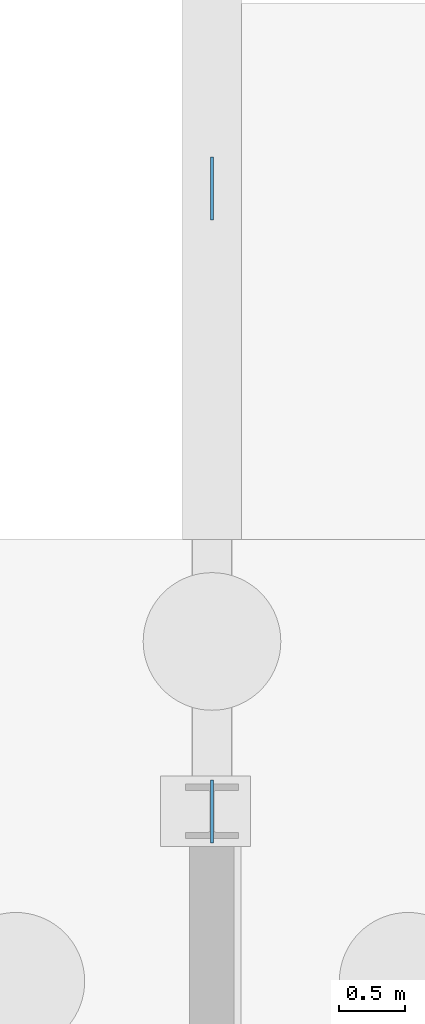
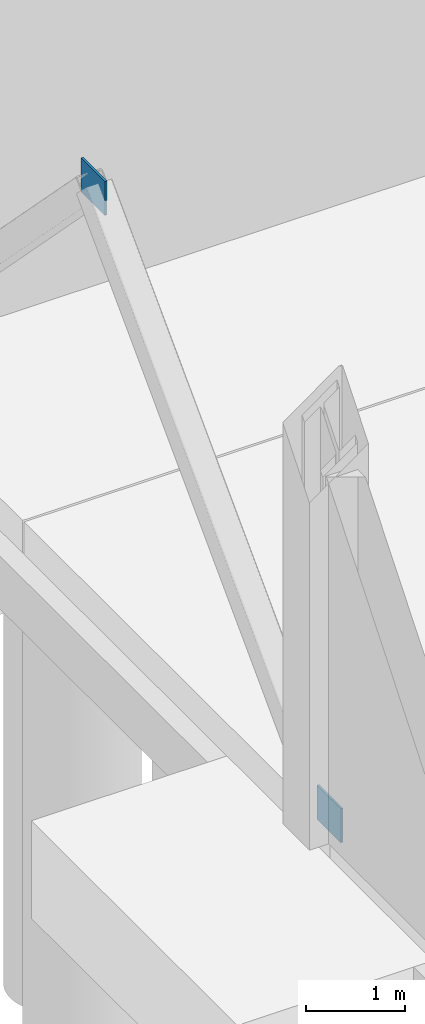
# One storey, part 39 of 83: 2 plates.
"""IFC4 building model written with IfcOpenShell, lengths in metres."""

from ifc_helpers import new_model, si_unit, direction, frame, origin, origin_2d, place, context, subcontext, project, spatial, rectangle, extrude, material, layer, layer_set, type_object, element, save


model = new_model("IFC4")

# Units and contexts
model_context = context("Model", 3, precision=1e-05, world=origin(), true_north=direction((0.0, 1.0)))
body_context = subcontext(model_context, "Body", "Model", "MODEL_VIEW")
ifc_project = project(units=[si_unit("LENGTHUNIT", "METRE"), si_unit("AREAUNIT", "SQUARE_METRE"), si_unit("VOLUMEUNIT", "CUBIC_METRE"), si_unit("PLANEANGLEUNIT", "RADIAN"), si_unit("MASSUNIT", "GRAM", prefix="KILO")], contexts=[model_context])

# Site, building, storey
site_placement = place(None, origin())
site = spatial("IfcSite", under=ifc_project, at=site_placement, CompositionType="ELEMENT")
building_placement = place(site_placement, origin())
building = spatial("IfcBuilding", under=site, at=building_placement, Name="Caurita Quay Ferry Terminal", CompositionType="ELEMENT")
storey_placement = place(building_placement, origin())
storey = spatial("IfcBuildingStorey", under=building, at=storey_placement, Name="L00", CompositionType="ELEMENT", Elevation=0.0)

# Plates
ifc_material = material(Name="Structural plate steel ASTM A572 Gr. 50", Category="steel")
ifc_layer_1 = layer(ifc_material, 0.01806640625, Name="Structural steel connection plate 18 mm")
ifc_layer_set_1 = layer_set([ifc_layer_1], Name="Structural plate steel ASTM A572 Gr. 50")
plate_type_1 = type_object("IfcPlateType", Name="PLT-STL-18", PredefinedType="USERDEFINED", material=ifc_layer_set_1)
plate_1_placement = place(storey_placement, frame((0.0, 53.199951171875, -0.06005859375), z_axis=(0.0, 0.0, 1.0), x_axis=(0.0, 1.0, 0.0)))
element("IfcPlate", 1, at=plate_1_placement, inside=storey, type_object=plate_type_1, Name="L00 Seismic Brace Gusset 01-BSL", ObjectType="GUSSET PLATE", PredefinedType="USERDEFINED", context=body_context, shape_type="SweptSolid", body=[
    extrude(rectangle(XDim=0.47998046875, YDim=0.02490234375, at=origin_2d()), origin(), (0.0, 0.0, 1.0), 0.419921875),
])
ifc_layer_2 = layer(ifc_material, 0.02490234375, Name="Structural steel connection plate 25 mm")
ifc_layer_set_2 = layer_set([ifc_layer_2], Name="Structural plate steel ASTM A572 Gr. 50")
plate_type_2 = type_object("IfcPlateType", Name="PLT-STL-25", PredefinedType="USERDEFINED", material=ifc_layer_set_2)
plate_2_placement = place(storey_placement, frame((0.0, 57.949951171875, 4.77001953125), z_axis=(0.0, 0.0, 1.0), x_axis=(0.0, 1.0, 0.0)))
element("IfcPlate", 2, at=plate_2_placement, inside=storey, type_object=plate_type_2, Name="L00 Seismic Brace Gusset 01-APX", ObjectType="GUSSET PLATE", PredefinedType="USERDEFINED", context=body_context, shape_type="SweptSolid", body=[
    extrude(rectangle(XDim=0.47998046875, YDim=0.02490234375, at=origin_2d()), origin(), (0.0, 0.0, 1.0), 0.419921875),
])

save(model, "model.ifc")
